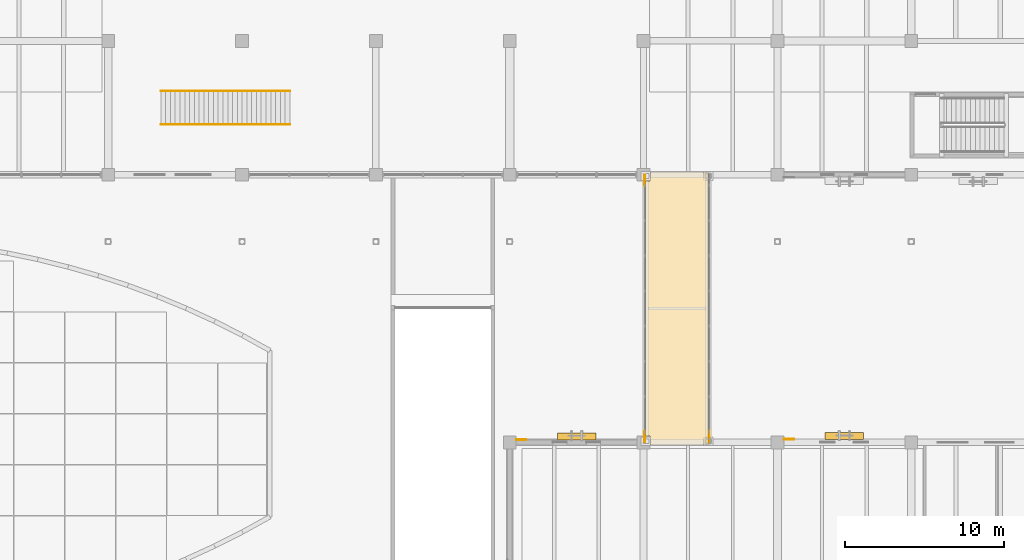
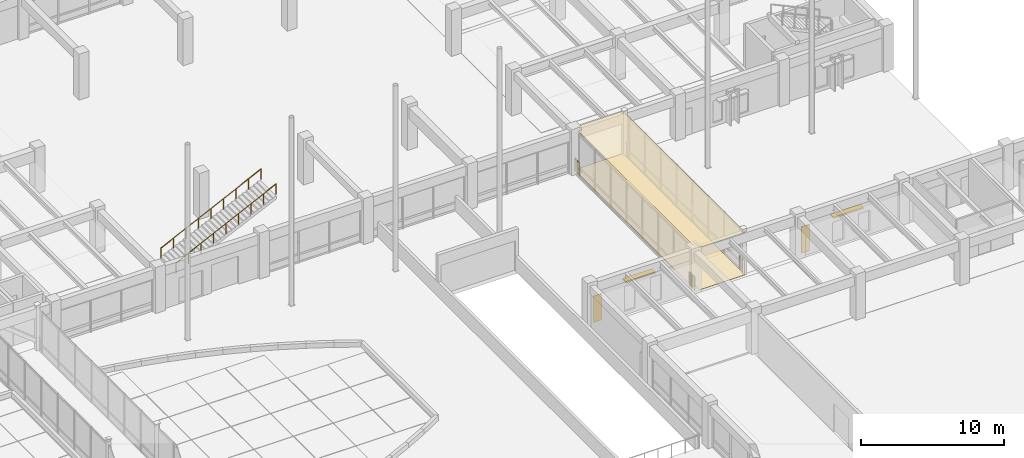
# One storey, part 132 of 135: 5 railings, 4 coverings, 2 shading devices.
"""IFC4 building model written with IfcOpenShell, lengths in metres."""

from ifc_helpers import new_model, si_unit, direction, frame, origin, origin_2d, place, context, subcontext, project, spatial, polyline, rectangle, circle, outline, extrude, material, layer, layer_set, type_object, element, save


model = new_model("IFC4")

# Units and contexts
model_context = context("Model", 3, precision=1e-05, world=origin(), true_north=direction((0.0, 1.0)))
body_context = subcontext(model_context, "Body", "Model", "MODEL_VIEW")
ifc_project = project(units=[si_unit("LENGTHUNIT", "METRE"), si_unit("AREAUNIT", "SQUARE_METRE"), si_unit("VOLUMEUNIT", "CUBIC_METRE"), si_unit("PLANEANGLEUNIT", "RADIAN"), si_unit("MASSUNIT", "GRAM", prefix="KILO")], contexts=[model_context])

# Site, building, storey
site_placement = place(None, origin())
site = spatial("IfcSite", under=ifc_project, at=site_placement, CompositionType="ELEMENT")
building_placement = place(site_placement, origin())
building = spatial("IfcBuilding", under=site, at=building_placement, Name="Cumbredor Promenade Congress Hotel", CompositionType="ELEMENT")
storey_placement = place(building_placement, origin())
storey = spatial("IfcBuildingStorey", under=building, at=storey_placement, Name="L00", CompositionType="ELEMENT", Elevation=0.0)

# Coverings
ifc_material_1 = material(Name="Acoustic mineral-fiber and gypsum ceiling")
ifc_layer_1 = layer(ifc_material_1, 0.028076171875, Name="Acoustic mineral-fiber and gypsum ceiling")
ifc_layer_set_1 = layer_set([ifc_layer_1], Name="Acoustic mineral-fiber and gypsum ceiling")
covering_type_1 = type_object("IfcCoveringType", Name="Acoustic Perforated Gypsum Ceiling CLG-03 28mm", PredefinedType="CEILING", material=ifc_layer_set_1)
covering_1_placement = place(storey_placement, frame((0.0, 0.0, 3.612060546875)))
element("IfcCovering", 1, at=covering_1_placement, inside=storey, type_object=covering_type_1, Name="L00 East Ballroom-to-Forum Glazed Bridge Concourse Acoustic Ceiling", PredefinedType="CEILING", context=body_context, shape_type="SweptSolid", body=[
    extrude(outline(polyline([(155.27001953125, 84.139892578125), (155.27001953125, 67.06005859375), (151.60498046875, 67.06005859375), (151.60498046875, 67.60498046875), (151.330078125, 67.60498046875), (151.330078125, 83.594970703125), (151.60498046875, 83.594970703125), (151.60498046875, 84.139892578125), (155.27001953125, 84.139892578125)])), origin(), (0.0, 0.0, 1.0), 0.02783203125),
])
ifc_material_2 = material(Name="Precast concrete C40/50", Category="concrete")
ifc_layer_2 = layer(ifc_material_2, 0.044921875, Name="Precast concrete C40/50", Category="concrete")
ifc_layer_set_2 = layer_set([ifc_layer_2], Name="Precast concrete C40/50")
covering_type_2 = type_object("IfcCoveringType", Name="Board-Formed Architectural Cladding Panel 45mm", PredefinedType="CLADDING", material=ifc_layer_set_2)
covering_2_placement = place(storey_placement, origin())
element("IfcCovering", 2, at=covering_2_placement, inside=storey, type_object=covering_type_2, Name="L00 Facade Stone Cladding Pier 012", PredefinedType="CLADDING", context=body_context, shape_type="SweptSolid", body=[
    extrude(outline(polyline([(160.0009765625, 67.375), (160.65087890625, 67.375), (160.65087890625, 67.419921875), (160.0009765625, 67.419921875), (160.0009765625, 67.375)])), origin(), (0.0, 0.0, 1.0), 2.25),
])

# Shading devices
ifc_material_3 = material(Name="Thermally broken anodized aluminium", Category="aluminium")
shading_device_type = type_object("IfcShadingDeviceType", Name="Horizontal Bronze Jalousie Louvre JAL-01", PredefinedType="JALOUSIE", material=ifc_material_3)
for number, where, z_axis, x_axis, name in (
    (3, (147.0, 67.574951171875, 2.4599609375), (0.0, 0.0, 1.0), (1.0, 0.0, 0.0), "L00 Horizontal Bronze Jalousie 008"),
    (4, (163.800048828125, 67.60009765625, 2.06005859375), (0.0, 0.0, 1.0), (1.0, 0.0, 0.0), "L00 Horizontal Bronze Jalousie 009"),
):
    element("IfcShadingDevice", number, at=place(storey_placement, frame(where, z_axis=z_axis, x_axis=x_axis)), inside=storey, type_object=shading_device_type, Name=name, PredefinedType="JALOUSIE", context=body_context, shape_type="SweptSolid", body=[
        extrude(rectangle(XDim=2.39990234375, YDim=0.449951171875, at=origin_2d()), origin(), (0.0, 0.0, 1.0), 0.1201171875),
    ])

# Covering
ifc_material_4 = material(Name="Porcelain stoneware tile", Category="masonry")
ifc_layer_3 = layer(ifc_material_4, 0.02490234375, Name="Porcelain stoneware tile", Category="masonry")
ifc_layer_set_3 = layer_set([ifc_layer_3], Name="Porcelain stoneware tile")
covering_type_3 = type_object("IfcCoveringType", Name="Porcelain Stoneware Flooring FLR-02 25mm", PredefinedType="FLOORING", material=ifc_layer_set_3)
covering_3_placement = place(storey_placement, origin())
element("IfcCovering", 5, at=covering_3_placement, inside=storey, type_object=covering_type_3, Name="L00 East Ballroom-to-Forum Glazed Bridge Concourse Porcelain Flooring", PredefinedType="FLOORING", context=body_context, shape_type="SweptSolid", body=[
    extrude(outline(polyline([(155.27001953125, 84.139892578125), (155.27001953125, 67.06005859375), (151.60498046875, 67.06005859375), (151.60498046875, 67.60498046875), (151.330078125, 67.60498046875), (151.330078125, 83.594970703125), (151.60498046875, 83.594970703125), (151.60498046875, 84.139892578125), (155.27001953125, 84.139892578125)])), origin(), (0.0, 0.0, 1.0), 0.02490234375),
])

# Railings
ifc_material_5 = material(Name="Brushed stainless steel", Category="steel")
railing_type_1 = type_object("IfcRailingType", Name="Sky Garden Glass-and-Steel Balustrade BAL-1150", PredefinedType="BALUSTRADE", material=ifc_material_5)
for number, where, name in (
    (6, (151.280029296875, 67.22998046875, 0.0), "L00 East Ballroom-to-Forum Glazed Bridge End Guardrail SW"),
    (7, (155.320068359375, 67.22998046875, 0.0), "L00 East Ballroom-to-Forum Glazed Bridge End Guardrail SE"),
    (8, (151.280029296875, 83.300048828125, 0.0), "L00 East Ballroom-to-Forum Glazed Bridge End Guardrail NW"),
):
    element("IfcRailing", number, at=place(storey_placement, frame(where)), inside=storey, type_object=railing_type_1, Name=name, PredefinedType="BALUSTRADE", context=body_context, shape_type="SweptSolid", body=[
        extrude(circle(Radius=0.02392578125, at=origin_2d()), frame((0.0, 0.0, 1.1259765625), z_axis=(0.0, 1.0, 0.0), x_axis=(-1.0, 0.0, 0.0)), (0.0, 0.0, 1.0), 0.669921875),
        extrude(circle(Radius=0.02099609375, at=origin_2d()), origin(), (0.0, 0.0, 1.0), 1.101806640625),
        extrude(circle(Radius=0.02099609375, at=origin_2d()), frame((0.0, 0.3349609375, 0.0)), (0.0, 0.0, 1.0), 1.101806640625),
        extrude(circle(Radius=0.02099609375, at=origin_2d()), frame((0.0, 0.669921875, 0.0)), (0.0, 0.0, 1.0), 1.101806640625),
    ])
railing_type_2 = type_object("IfcRailingType", Name="Stair Pitch Handrail HR-900", PredefinedType="HANDRAIL", material=ifc_material_5)
for number, where, name in (
    (9, (120.904052734375, 87.14990234375, -0.0029296875), "Forum Atrium Ceremonial Stair Lower Handrail R"),
    (10, (120.904052734375, 89.25, -0.0029296875), "Forum Atrium Ceremonial Stair Lower Handrail L"),
):
    element("IfcRailing", number, at=place(storey_placement, frame(where)), inside=storey, type_object=railing_type_2, Name=name, PredefinedType="HANDRAIL", context=body_context, shape_type="SweptSolid", body=[
        extrude(circle(Radius=0.02099609375, at=origin_2d()), frame((0.0, 0.0, 0.87890625), z_axis=(0.900131454984, 0.0, 0.435618369389), x_axis=(0.0, 1.0, 0.0)), (0.0, 0.0, 1.0), 8.99853515625),
        extrude(circle(Radius=0.01806640625, at=origin_2d()), origin(), (0.0, 0.0, 1.0), 0.85791015625),
        extrude(circle(Radius=0.01806640625, at=origin_2d()), frame((1.012451171875, 0.0, 0.489990234375)), (0.0, 0.0, 1.0), 0.85791015625),
        extrude(circle(Radius=0.01806640625, at=origin_2d()), frame((2.02490234375, 0.0, 0.97998046875)), (0.0, 0.0, 1.0), 0.85791015625),
        extrude(circle(Radius=0.01806640625, at=origin_2d()), frame((3.037353515625, 0.0, 1.469970703125)), (0.0, 0.0, 1.0), 0.85791015625),
        extrude(circle(Radius=0.01806640625, at=origin_2d()), frame((4.0498046875, 0.0, 1.9599609375)), (0.0, 0.0, 1.0), 0.85791015625),
        extrude(circle(Radius=0.01806640625, at=origin_2d()), frame((5.0625, 0.0, 2.449951171875)), (0.0, 0.0, 1.0), 0.85791015625),
        extrude(circle(Radius=0.01806640625, at=origin_2d()), frame((6.074951171875, 0.0, 2.93994140625)), (0.0, 0.0, 1.0), 0.85791015625),
        extrude(circle(Radius=0.01806640625, at=origin_2d()), frame((7.08740234375, 0.0, 3.429931640625)), (0.0, 0.0, 1.0), 0.85791015625),
        extrude(circle(Radius=0.01806640625, at=origin_2d()), frame((8.099853515625, 0.0, 3.919921875)), (0.0, 0.0, 1.0), 0.85791015625),
    ])

# Covering
ifc_material_6 = material(Name="Volcanic andesite ashlar cladding", Category="masonry")
ifc_layer_4 = layer(ifc_material_6, 0.034912109375, Name="Volcanic andesite ashlar cladding", Category="masonry")
ifc_layer_set_4 = layer_set([ifc_layer_4], Name="Volcanic andesite ashlar cladding")
covering_type_4 = type_object("IfcCoveringType", Name="Volcanic Andesite Ashlar Rainscreen Cladding 35mm", PredefinedType="CLADDING", material=ifc_layer_set_4)
covering_4_placement = place(storey_placement, origin())
element("IfcCovering", 11, at=covering_4_placement, inside=storey, type_object=covering_type_4, Name="L00 Facade Stone Cladding Pier 011", PredefinedType="CLADDING", context=body_context, shape_type="SweptSolid", body=[
    extrude(outline(polyline([(143.200927734375, 67.35009765625), (143.85107421875, 67.35009765625), (143.85107421875, 67.385009765625), (143.200927734375, 67.385009765625), (143.200927734375, 67.35009765625)])), origin(), (0.0, 0.0, 1.0), 2.25),
])

save(model, "model.ifc")
